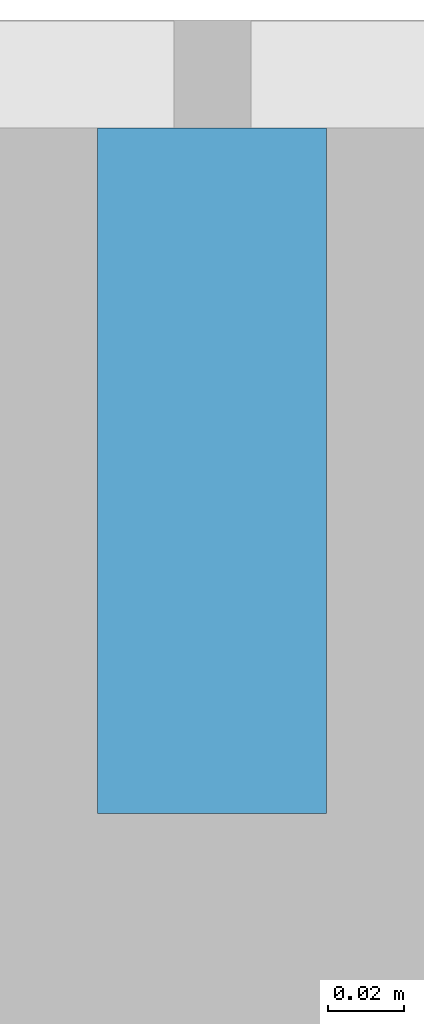
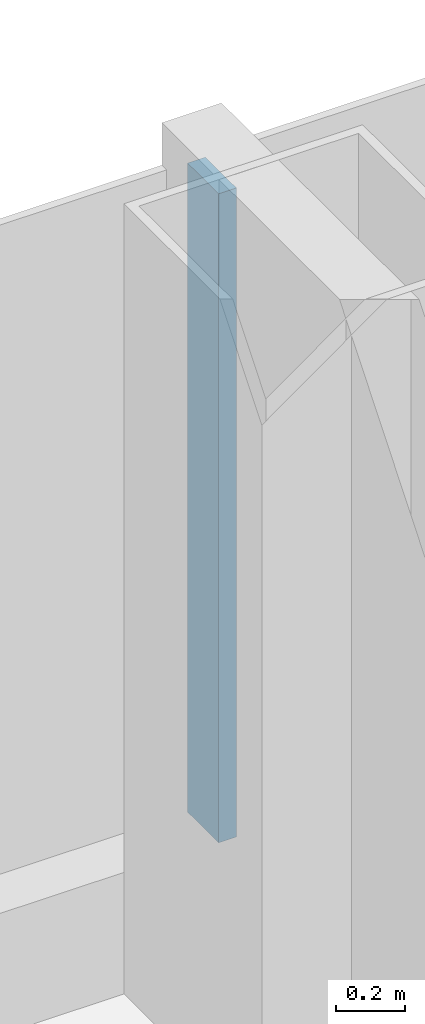
# One storey, part 10 of 29: 1 member, 1 element without a shape of its own.
"""IFC4 building model written with IfcOpenShell, lengths in metres."""

from ifc_helpers import new_model, si_unit, direction, frame, origin, origin_2d, place, context, subcontext, project, spatial, rectangle, extrude, material, layer, layer_set, material_profile, profile_set, type_object, element, aggregate, save


model = new_model("IFC4")

# Units and contexts
model_context = context("Model", 3, precision=1e-05, world=origin(), true_north=direction((0.0, 1.0)))
body_context = subcontext(model_context, "Body", "Model", "MODEL_VIEW")
ifc_project = project(units=[si_unit("LENGTHUNIT", "METRE"), si_unit("AREAUNIT", "SQUARE_METRE"), si_unit("VOLUMEUNIT", "CUBIC_METRE"), si_unit("PLANEANGLEUNIT", "RADIAN"), si_unit("MASSUNIT", "GRAM", prefix="KILO")], contexts=[model_context])

# Site, building, storey
site_placement = place(None, origin())
site = spatial("IfcSite", under=ifc_project, at=site_placement, CompositionType="ELEMENT")
building_placement = place(site_placement, origin())
building = spatial("IfcBuilding", under=site, at=building_placement, Name="Hakoniwa Tower and Hamabe Station Hall", CompositionType="ELEMENT")
storey_placement = place(building_placement, frame((0.0, 0.0, 85.0)))
storey = spatial("IfcBuildingStorey", under=building, at=storey_placement, Name="L23", CompositionType="ELEMENT", Elevation=85.0)

# Curtain wall, member
ifc_material_1 = material(Name="Dark low-e laminated glass", Category="glass")
ifc_layer = layer(ifc_material_1, 0.199951171875)
ifc_layer_set = layer_set([ifc_layer], Name="CW-1 UNITISED GUEST")
curtain_wall_type = type_object("IfcCurtainWallType", Name="CW-1 UNITISED GUEST", PredefinedType="NOTDEFINED", material=ifc_layer_set)
curtain_wall_placement = place(storey_placement, origin())
curtain_wall = element("IfcCurtainWall", 1, at=curtain_wall_placement, inside=storey, type_object=curtain_wall_type, Name="CW-1 curtain wall", PredefinedType="NOTDEFINED")
ifc_material_2 = material(Name="Aluminium 6063-T5 black anodised", Category="aluminium")
ifc_material_profile = material_profile(ifc_material_2, rectangle(XDim=0.06005859375, YDim=0.179931640625, at=origin_2d()), Name="CW-1 MULLION 60X180")
ifc_profile_set = profile_set([ifc_material_profile], Name="Aluminium 6063-T5 black anodised")
member_type = type_object("IfcMemberType", Name="CW-1 MULLION 60X180", PredefinedType="MULLION", material=ifc_profile_set)
member_placement = place(storey_placement, frame((8.39990234375, 23.431884765625, 0.35009765625), z_axis=(0.0, 0.0, 1.0), x_axis=(-1.0, 0.0, 0.0)))
member = element("IfcMember", 2, at=member_placement, type_object=member_type, Name="CW-1 mullion", PredefinedType="MULLION", context=body_context, shape_type="SweptSolid", body=[
    extrude(rectangle(XDim=0.06005859375, YDim=0.179931640625, at=origin_2d()), origin(), (0.0, 0.0, 1.0), 2.2998046875),
])
aggregate(curtain_wall, [member])

save(model, "model.ifc")
